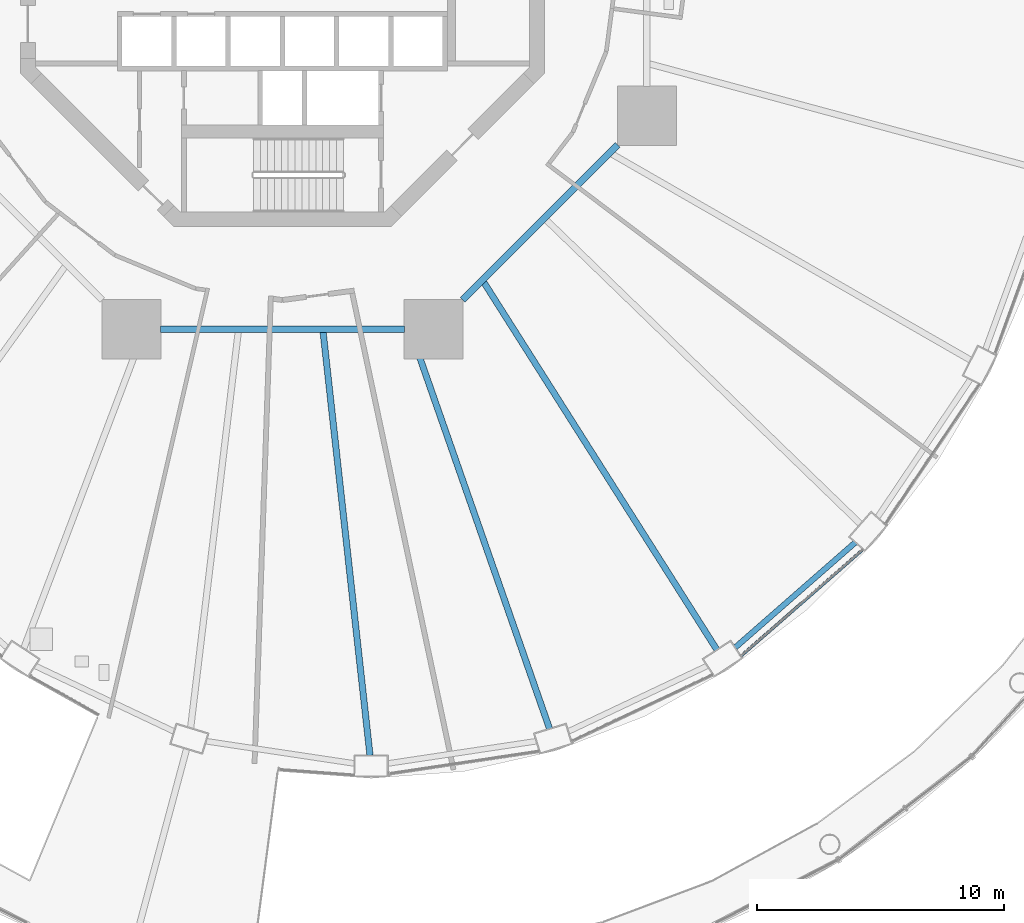
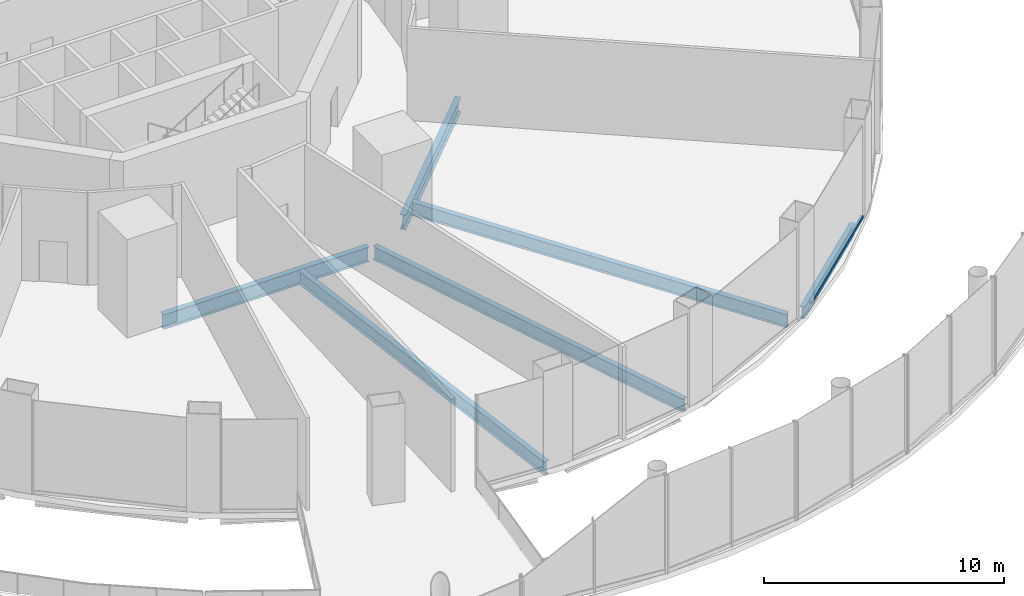
# One storey, part 12 of 47: 6 beams, 1 member, 1 element without a shape of its own.
"""IFC4 building model written with IfcOpenShell, lengths in metres."""

from ifc_helpers import new_model, si_unit, direction, frame, origin, origin_2d, place, context, subcontext, project, spatial, hollow_rectangle, i_section, extrude, material, layer, layer_set, material_profile, profile_set, type_object, element, aggregate, save


model = new_model("IFC4")

# Units and contexts
model_context = context("Model", 3, precision=1e-05, world=origin(), true_north=direction((0.0, 1.0)))
body_context = subcontext(model_context, "Body", "Model", "MODEL_VIEW")
ifc_project = project(units=[si_unit("LENGTHUNIT", "METRE"), si_unit("AREAUNIT", "SQUARE_METRE"), si_unit("VOLUMEUNIT", "CUBIC_METRE"), si_unit("PLANEANGLEUNIT", "RADIAN"), si_unit("MASSUNIT", "GRAM", prefix="KILO")], contexts=[model_context])

# Site, building, storey
site_placement = place(None, origin())
site = spatial("IfcSite", under=ifc_project, at=site_placement, CompositionType="ELEMENT")
building_placement = place(site_placement, origin())
building = spatial("IfcBuilding", under=site, at=building_placement, Name="Nagisa Residences", CompositionType="ELEMENT")
storey_placement = place(building_placement, frame((0.0, 0.0, 7.0)))
storey = spatial("IfcBuildingStorey", under=building, at=storey_placement, Name="L01", CompositionType="ELEMENT", Elevation=7.0)

# Curtain wall, member
ifc_material_1 = material(Name="Stainless steel curtain wall system", Category="steel")
ifc_layer = layer(ifc_material_1, 0.159912109375)
ifc_layer_set = layer_set([ifc_layer], Name="CW6 CURTAIN WALL")
curtain_wall_type = type_object("IfcCurtainWallType", Name="CW6 CURTAIN WALL", PredefinedType="NOTDEFINED", material=ifc_layer_set)
curtain_wall_placement = place(storey_placement, origin())
curtain_wall = element("IfcCurtainWall", 1, at=curtain_wall_placement, inside=storey, type_object=curtain_wall_type, Name="cw:CW6:L01:40", PredefinedType="NOTDEFINED")
ifc_material_2 = material(Name="Stainless steel", Category="steel")
ifc_material_profile_1 = material_profile(ifc_material_2, hollow_rectangle(XDim=0.1201171875, YDim=0.14990234375, WallThickness=0.008056640625, at=origin_2d()), Name="CW6 TRANSOM 120x150")
ifc_profile_set_1 = profile_set([ifc_material_profile_1], Name="Stainless steel")
member_type = type_object("IfcMemberType", Name="CW6 TRANSOM 120x150", PredefinedType="USERDEFINED", material=ifc_profile_set_1)
member_placement = place(storey_placement, frame((18.57470703125, -28.05810546875, 0.074951171875), z_axis=(0.753255020636, 0.657728571591, 0.0), x_axis=(-0.657728571591, 0.753255020636, 0.0)))
member = element("IfcMember", 2, at=member_placement, type_object=member_type, Name="CW6 transom", ObjectType="TRANSOM", PredefinedType="USERDEFINED", context=body_context, shape_type="SweptSolid", body=[
    extrude(hollow_rectangle(XDim=0.1201171875, YDim=0.14990234375, WallThickness=0.008056640625, at=origin_2d()), origin(), (0.0, 0.0, 1.0), 6.5732421875),
])
aggregate(curtain_wall, [member])

# Beams
ifc_material_3 = material(Name="Steel ASTM A572 Gr 50", Category="steel")
ifc_material_profile_2 = material_profile(ifc_material_3, i_section(OverallWidth=0.264892578125, OverallDepth=0.7529296875, WebThickness=0.01318359375, FlangeThickness=0.01708984375, at=origin_2d()), Name="W760x147")
ifc_profile_set_2 = profile_set([ifc_material_profile_2], Name="Steel ASTM A572 Gr 50")
beam_type_1 = type_object("IfcBeamType", Name="Inner ring beam W760x147", PredefinedType="BEAM", material=ifc_profile_set_2)
beam_1_placement = place(storey_placement, frame((-4.94287109375, -14.781982421875, -0.676513671875), z_axis=(1.0, 0.0, 0.0), x_axis=(0.0, 1.0, 0.0)))
element("IfcBeam", 3, at=beam_1_placement, inside=storey, type_object=beam_type_1, Name="beam:L01:ib6", PredefinedType="BEAM", context=body_context, shape_type="SweptSolid", body=[
    extrude(i_section(OverallWidth=0.264892578125, OverallDepth=0.7529296875, WebThickness=0.01318359375, FlangeThickness=0.01708984375, at=origin_2d()), origin(), (0.0, 0.0, 1.0), 9.8857421875),
])
beam_2_placement = place(storey_placement, frame((7.308837890625, -13.59619140625, -0.676513671875), z_axis=(0.707106781187, 0.707106781187, 0.0), x_axis=(-0.707106781187, 0.707106781187, 0.0)))
element("IfcBeam", 4, at=beam_2_placement, inside=storey, type_object=beam_type_1, Name="beam:L01:ib7", PredefinedType="BEAM", context=body_context, shape_type="SweptSolid", body=[
    extrude(i_section(OverallWidth=0.264892578125, OverallDepth=0.7529296875, WebThickness=0.01318359375, FlangeThickness=0.01708984375, at=origin_2d()), origin(), (0.0, 0.0, 1.0), 8.8916015625),
])
ifc_material_4 = material(Name="Steel ASTM A572 Gr 50", Category="steel")
ifc_material_profile_3 = material_profile(ifc_material_4, i_section(OverallWidth=0.22802734375, OverallDepth=0.60302734375, WebThickness=0.010498046875, FlangeThickness=0.014892578125, at=origin_2d()), Name="W610x101")
ifc_profile_set_3 = profile_set([ifc_material_profile_3], Name="Steel ASTM A572 Gr 50")
beam_type_2 = type_object("IfcBeamType", Name="Perimeter ring beam W610x101", PredefinedType="BEAM", material=ifc_profile_set_3)
beam_3_placement = place(storey_placement, frame((18.36669921875, -27.693603515625, -0.6015625), z_axis=(0.7525907186, 0.658488580217, 0.0), x_axis=(-0.658488580217, 0.7525907186, 0.0)))
element("IfcBeam", 5, at=beam_3_placement, inside=storey, type_object=beam_type_2, Name="beam:L01:pb21", PredefinedType="BEAM", context=body_context, shape_type="SweptSolid", body=[
    extrude(i_section(OverallWidth=0.22802734375, OverallDepth=0.60302734375, WebThickness=0.010498046875, FlangeThickness=0.014892578125, at=origin_2d()), origin(), (0.0, 0.0, 1.0), 6.470458984375),
])
ifc_material_5 = material(Name="Steel ASTM A572 Gr 50", Category="steel")
ifc_material_profile_4 = material_profile(ifc_material_5, i_section(OverallWidth=0.25390625, OverallDepth=0.68408203125, WebThickness=0.012451171875, FlangeThickness=0.018798828125, at=origin_2d()), Name="W690x140")
ifc_profile_set_4 = profile_set([ifc_material_profile_4], Name="Steel ASTM A572 Gr 50")
beam_type_3 = type_object("IfcBeamType", Name="Radial beam W690x140", PredefinedType="BEAM", material=ifc_profile_set_4)
beam_4_placement = place(storey_placement, frame((3.55224609375, -32.06982421875, -0.64208984375), z_axis=(-0.110088818647, 0.993921753464, 0.0), x_axis=(-0.993921753464, -0.110088818647, 0.0)))
element("IfcBeam", 6, at=beam_4_placement, inside=storey, type_object=beam_type_3, Name="beam:L01:rb19", PredefinedType="BEAM", context=body_context, shape_type="SweptSolid", body=[
    extrude(i_section(OverallWidth=0.25390625, OverallDepth=0.68408203125, WebThickness=0.012451171875, FlangeThickness=0.018798828125, at=origin_2d()), origin(), (0.0, 0.0, 1.0), 17.280029296875),
])
beam_5_placement = place(storey_placement, frame((10.834228515625, -30.986328125, -0.64208984375), z_axis=(-0.330051195485, 0.943963033364, 0.0), x_axis=(-0.943963033364, -0.330051195485, 0.0)))
element("IfcBeam", 7, at=beam_5_placement, inside=storey, type_object=beam_type_3, Name="beam:L01:rb20", PredefinedType="BEAM", context=body_context, shape_type="SweptSolid", body=[
    extrude(i_section(OverallWidth=0.25390625, OverallDepth=0.68408203125, WebThickness=0.012451171875, FlangeThickness=0.018798828125, at=origin_2d()), origin(), (0.0, 0.0, 1.0), 17.045654296875),
])
beam_6_placement = place(storey_placement, frame((17.61962890625, -27.78271484375, -0.64208984375), z_axis=(-0.53556610664, 0.844493306911, 0.0), x_axis=(-0.844493306911, -0.53556610664, 0.0)))
element("IfcBeam", 8, at=beam_6_placement, inside=storey, type_object=beam_type_3, Name="beam:L01:rb21", PredefinedType="BEAM", context=body_context, shape_type="SweptSolid", body=[
    extrude(i_section(OverallWidth=0.25390625, OverallDepth=0.68408203125, WebThickness=0.012451171875, FlangeThickness=0.018798828125, at=origin_2d()), origin(), (0.0, 0.0, 1.0), 17.63525390625),
])

save(model, "model.ifc")
